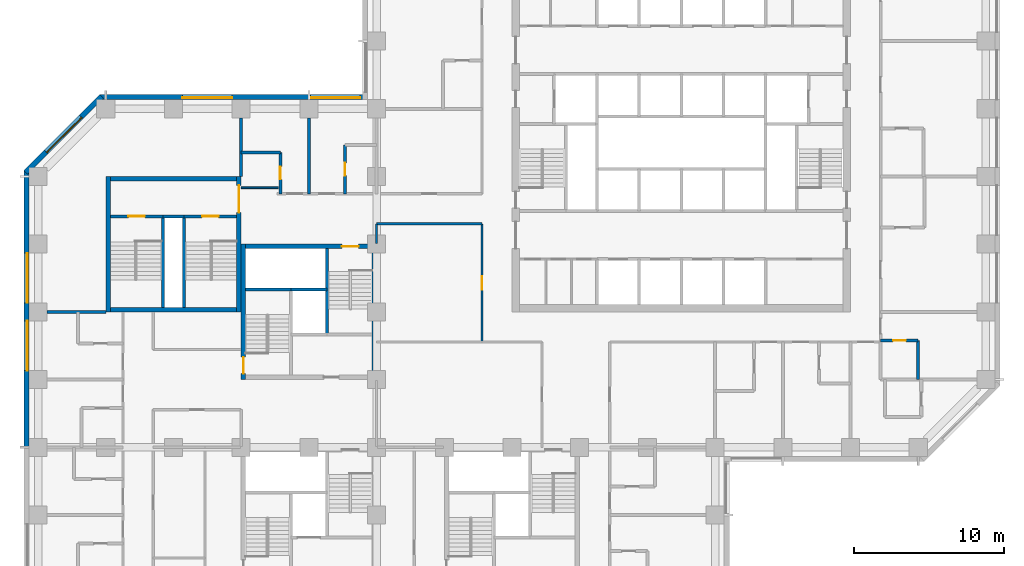
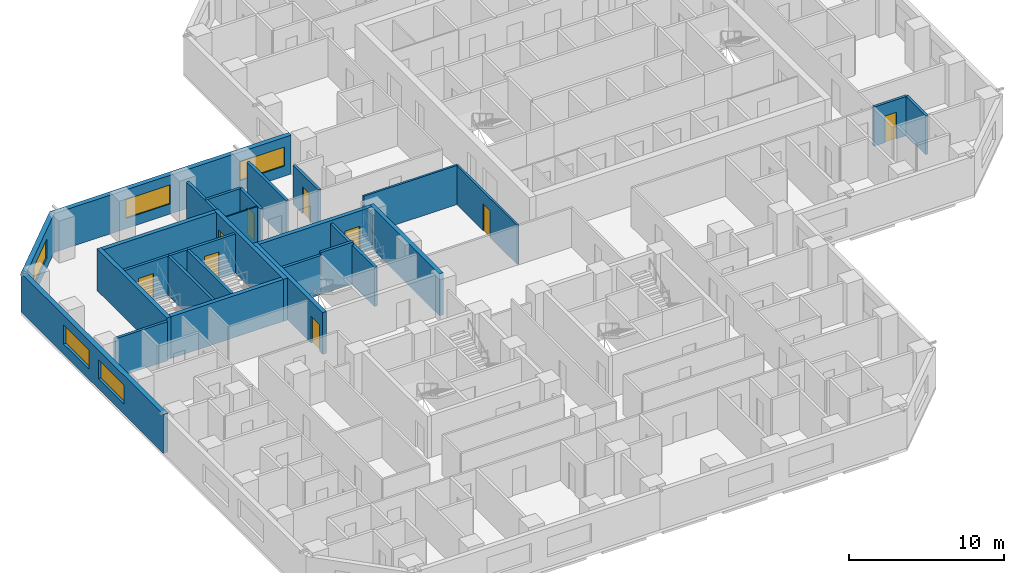
# One storey, part 7 of 13: 30 walls, 9 doors, 5 windows, 14 openings.
"""IFC4 building model written with IfcOpenShell, lengths in metres."""

from ifc_helpers import new_model, si_unit, direction, frame, frame_2d, origin, place, context, subcontext, project, spatial, rectangle, extrude, material, layer, layer_set, constituent, constituent_set, type_object, element, fill, save


model = new_model("IFC4")

# Units and contexts
model_context = context("Model", 3, precision=1e-05, world=origin(), true_north=direction((0.0, 1.0)))
body_context = subcontext(model_context, "Body", "Model", "MODEL_VIEW")
ifc_project = project(units=[si_unit("LENGTHUNIT", "METRE"), si_unit("AREAUNIT", "SQUARE_METRE"), si_unit("VOLUMEUNIT", "CUBIC_METRE"), si_unit("PLANEANGLEUNIT", "RADIAN"), si_unit("MASSUNIT", "GRAM", prefix="KILO")], contexts=[model_context])

# Site, building, storey
site_placement = place(None, origin())
site = spatial("IfcSite", under=ifc_project, at=site_placement, CompositionType="ELEMENT")
building_placement = place(site_placement, origin())
building = spatial("IfcBuilding", under=site, at=building_placement, Name="Quoin Convention Tower", CompositionType="ELEMENT")
storey_placement = place(building_placement, frame((0.0, 0.0, 36.300048828125)))
storey = spatial("IfcBuildingStorey", under=building, at=storey_placement, Name="L08", CompositionType="ELEMENT", Elevation=36.300048828125)

# Wall, openings, windows
ifc_material_1 = material(Name="Brick masonry", Category="masonry")
ifc_layer_1 = layer(ifc_material_1, 0.35009765625)
ifc_layer_set_1 = layer_set([ifc_layer_1], Name="Brick masonry")
wall_type_1 = type_object("IfcWallType", Name="Brick facade wall", PredefinedType="STANDARD", material=ifc_layer_set_1)
wall_1_placement = place(storey_placement, frame((35.39990234375, 63.77490234375, 0.0), z_axis=(0.0, 0.0, 1.0), x_axis=(-1.0, 0.0, 0.0)))
wall_1 = element("IfcWall", 1, at=wall_1_placement, inside=storey, type_object=wall_type_1, Name="fw-L08-36000_63000", PredefinedType="STANDARD", context=body_context, shape_type="SweptSolid", body=[
    extrude(rectangle(XDim=17.79345703125, YDim=0.35009765625, at=frame_2d((8.896728515625, 0.0))), origin(), (0.0, 0.0, 1.0), 3.054931640625),
])
opening_1_placement = place(wall_1_placement, frame((0.5, 0.0, 0.800048828125)))
opening_1 = element("IfcOpeningElement", 2, at=opening_1_placement, cuts=wall_1, Name="Opening W-01", PredefinedType="OPENING", context=body_context, shape_type="SweptSolid", body=[
    extrude(rectangle(XDim=3.300048828125, YDim=1.5, at=frame_2d((1.64990234375, 0.75))), frame((0.0, 0.18505859375, 0.0), z_axis=(0.0, -1.0, 0.0), x_axis=(1.0, 0.0, 0.0)), (0.0, 0.0, 1.0), 0.3701171875),
])
opening_2_placement = place(wall_1_placement, frame((9.0, 0.0, 0.800048828125)))
opening_2 = element("IfcOpeningElement", 3, at=opening_2_placement, cuts=wall_1, Name="Opening W-01", PredefinedType="OPENING", context=body_context, shape_type="SweptSolid", body=[
    extrude(rectangle(XDim=3.300048828125, YDim=1.5, at=frame_2d((1.64990234375, 0.75))), frame((0.0, 0.18505859375, 0.0), z_axis=(0.0, -1.0, 0.0), x_axis=(1.0, 0.0, 0.0)), (0.0, 0.0, 1.0), 0.3701171875),
])
ifc_material_2 = material(Name="Aluminium", Category="aluminium")
ifc_constituent_1 = constituent(ifc_material_2, Name="Frame")
ifc_material_3 = material(Name="Insulated glass", Category="glass")
ifc_constituent_2 = constituent(ifc_material_3, Name="Glazing")
ifc_constituent_set = constituent_set(constituents=[ifc_constituent_1, ifc_constituent_2], Name="Aluminium")
window_type = type_object("IfcWindowType", Name="Hotel strip window", PartitioningType="DOUBLE_PANEL_VERTICAL", PredefinedType="WINDOW", material=ifc_constituent_set)
window_1_placement = place(opening_1_placement, origin())
window_1 = element("IfcWindow", 4, at=window_1_placement, inside=storey, type_object=window_type, Name="win-L08-33750_63775", OverallHeight=1.5, OverallWidth=3.300048828125, PartitioningType="SINGLE_PANEL", PredefinedType="WINDOW", context=body_context, shape_type="SweptSolid", body=[
    extrude(rectangle(XDim=3.300048828125, YDim=1.5, at=frame_2d((1.64990234375, 0.75))), frame((0.0, 0.0849609375, 0.0), z_axis=(0.0, -1.0, 0.0), x_axis=(1.0, 0.0, 0.0)), (0.0, 0.0, 1.0), 0.06005859375),
])
fill(opening_1, window_1)
window_2_placement = place(opening_2_placement, origin())
window_2 = element("IfcWindow", 5, at=window_2_placement, inside=storey, type_object=window_type, Name="win-L08-24750_63775", OverallHeight=1.5, OverallWidth=3.300048828125, PartitioningType="SINGLE_PANEL", PredefinedType="WINDOW", context=body_context, shape_type="SweptSolid", body=[
    extrude(rectangle(XDim=3.300048828125, YDim=1.5, at=frame_2d((1.64990234375, 0.75))), frame((0.0, 0.0849609375, 0.0), z_axis=(0.0, -1.0, 0.0), x_axis=(1.0, 0.0, 0.0)), (0.0, 0.0, 1.0), 0.06005859375),
])
fill(opening_2, window_2)

# Wall, opening, window
wall_2_placement = place(storey_placement, frame((17.730224609375, 63.826416015625, 0.0), z_axis=(0.0, 0.0, 1.0), x_axis=(-0.707106781187, -0.707106781187, 0.0)))
wall_2 = element("IfcWall", 6, at=wall_2_placement, inside=storey, type_object=wall_type_1, Name="fw-L08-18000_63000", PredefinedType="STANDARD", context=body_context, shape_type="SweptSolid", body=[
    extrude(rectangle(XDim=7.151123046875, YDim=0.35009765625, at=frame_2d((3.57568359375, 0.0))), origin(), (0.0, 0.0, 1.0), 3.054931640625),
])
opening_3_placement = place(wall_2_placement, frame((1.925537109375, 0.0, 0.800048828125)))
opening_3 = element("IfcOpeningElement", 7, at=opening_3_placement, cuts=wall_2, Name="Opening W-01", PredefinedType="OPENING", context=body_context, shape_type="SweptSolid", body=[
    extrude(rectangle(XDim=3.300048828125, YDim=1.5, at=frame_2d((1.64990234375, 0.75))), frame((0.0, 0.18505859375, 0.0), z_axis=(0.0, -1.0, 0.0), x_axis=(1.0, 0.0, 0.0)), (0.0, 0.0, 1.0), 0.3701171875),
])
window_3_placement = place(opening_3_placement, origin())
window_3 = element("IfcWindow", 8, at=window_3_placement, inside=storey, type_object=window_type, Name="win-L08-15202_61298", OverallHeight=1.5, OverallWidth=3.300048828125, PartitioningType="SINGLE_PANEL", PredefinedType="WINDOW", context=body_context, shape_type="SweptSolid", body=[
    extrude(rectangle(XDim=3.300048828125, YDim=1.5, at=frame_2d((1.64990234375, 0.75))), frame((0.0, 0.0849609375, 0.0), z_axis=(0.0, -1.0, 0.0), x_axis=(1.0, 0.0, 0.0)), (0.0, 0.0, 1.0), 0.06005859375),
])
fill(opening_3, window_3)

# Wall, openings, windows
wall_3_placement = place(storey_placement, frame((12.72509765625, 58.8935546875, 0.0), z_axis=(0.0, 0.0, 1.0), x_axis=(0.0, -1.0, 0.0)))
wall_3 = element("IfcWall", 9, at=wall_3_placement, inside=storey, type_object=wall_type_1, Name="fw-L08-13500_58500", PredefinedType="STANDARD", context=body_context, shape_type="SweptSolid", body=[
    extrude(rectangle(XDim=18.3935546875, YDim=0.35009765625, at=frame_2d((9.19677734375, 0.0))), origin(), (0.0, 0.0, 1.0), 3.054931640625),
])
opening_4_placement = place(wall_3_placement, frame((5.493408203125, 0.0, 0.800048828125)))
opening_4 = element("IfcOpeningElement", 10, at=opening_4_placement, cuts=wall_3, Name="Opening W-01", PredefinedType="OPENING", context=body_context, shape_type="SweptSolid", body=[
    extrude(rectangle(XDim=3.300048828125, YDim=1.5, at=frame_2d((1.64990234375, 0.75))), frame((0.0, 0.18505859375, 0.0), z_axis=(0.0, -1.0, 0.0), x_axis=(1.0, 0.0, 0.0)), (0.0, 0.0, 1.0), 0.3701171875),
])
opening_5_placement = place(wall_3_placement, frame((9.993408203125, 0.0, 0.800048828125)))
opening_5 = element("IfcOpeningElement", 11, at=opening_5_placement, cuts=wall_3, Name="Opening W-01", PredefinedType="OPENING", context=body_context, shape_type="SweptSolid", body=[
    extrude(rectangle(XDim=3.300048828125, YDim=1.5, at=frame_2d((1.64990234375, 0.75))), frame((0.0, 0.18505859375, 0.0), z_axis=(0.0, -1.0, 0.0), x_axis=(1.0, 0.0, 0.0)), (0.0, 0.0, 1.0), 0.3701171875),
])
window_4_placement = place(opening_4_placement, origin())
window_4 = element("IfcWindow", 12, at=window_4_placement, inside=storey, type_object=window_type, Name="win-L08-12725_51750", OverallHeight=1.5, OverallWidth=3.300048828125, PartitioningType="SINGLE_PANEL", PredefinedType="WINDOW", context=body_context, shape_type="SweptSolid", body=[
    extrude(rectangle(XDim=3.300048828125, YDim=1.5, at=frame_2d((1.64990234375, 0.75))), frame((0.0, 0.0849609375, 0.0), z_axis=(0.0, -1.0, 0.0), x_axis=(1.0, 0.0, 0.0)), (0.0, 0.0, 1.0), 0.06005859375),
])
fill(opening_4, window_4)
window_5_placement = place(opening_5_placement, origin())
window_5 = element("IfcWindow", 13, at=window_5_placement, inside=storey, type_object=window_type, Name="win-L08-12725_47250", OverallHeight=1.5, OverallWidth=3.300048828125, PartitioningType="SINGLE_PANEL", PredefinedType="WINDOW", context=body_context, shape_type="SweptSolid", body=[
    extrude(rectangle(XDim=3.300048828125, YDim=1.5, at=frame_2d((1.64990234375, 0.75))), frame((0.0, 0.0849609375, 0.0), z_axis=(0.0, -1.0, 0.0), x_axis=(1.0, 0.0, 0.0)), (0.0, 0.0, 1.0), 0.06005859375),
])
fill(opening_5, window_5)

# Walls
ifc_material_4 = material(Name="Concrete C50", Category="concrete")
ifc_layer_2 = layer(ifc_material_4, 0.199951171875)
ifc_layer_set_2 = layer_set([ifc_layer_2], Name="Concrete C50")
wall_type_2 = type_object("IfcWallType", Name="Core shaft wall", PredefinedType="SOLIDWALL", material=ifc_layer_set_2)
wall_4_placement = place(storey_placement, frame((27.300048828125, 51.0, 0.0), z_axis=(0.0, 0.0, 1.0), x_axis=(1.0, 0.0, 0.0)))
element("IfcWall", 14, at=wall_4_placement, inside=storey, type_object=wall_type_2, Name="cr-P2-L08-h6000_300", PredefinedType="SOLIDWALL", context=body_context, shape_type="SweptSolid", body=[
    extrude(rectangle(XDim=3.0, YDim=0.199951171875, at=frame_2d((1.5, 0.0))), origin(), (0.0, 0.0, 1.0), 3.079833984375),
])
wall_5_placement = place(storey_placement, frame((32.699951171875, 48.0, 0.0), z_axis=(0.0, 0.0, 1.0), x_axis=(0.0, 1.0, 0.0)))
element("IfcWall", 15, at=wall_5_placement, inside=storey, type_object=wall_type_2, Name="cr-P2-L08-v5700_3000", PredefinedType="SOLIDWALL", context=body_context, shape_type="SweptSolid", body=[
    extrude(rectangle(XDim=5.699951171875, YDim=0.199951171875, at=frame_2d((2.85009765625, 0.0))), origin(), (0.0, 0.0, 1.0), 3.079833984375),
])
wall_6_placement = place(storey_placement, frame((21.800048828125, 55.85009765625, 0.0), z_axis=(0.0, 0.0, 1.0), x_axis=(1.0, 0.0, 0.0)))
element("IfcWall", 16, at=wall_6_placement, inside=storey, type_object=wall_type_2, Name="cr-P6-L08-h6350_3800", PredefinedType="SOLIDWALL", context=body_context, shape_type="SweptSolid", body=[
    extrude(rectangle(XDim=1.39990234375, YDim=0.199951171875, at=frame_2d((0.699951171875, 0.0))), origin(), (0.0, 0.0, 1.0), 3.079833984375),
])

# Wall, opening, door
wall_7_placement = place(storey_placement, frame((18.300048828125, 55.85009765625, 0.0), z_axis=(0.0, 0.0, 1.0), x_axis=(1.0, 0.0, 0.0)))
wall_7 = element("IfcWall", 17, at=wall_7_placement, inside=storey, type_object=wall_type_2, Name="cr-P6-L08-h6350_300", PredefinedType="SOLIDWALL", context=body_context, shape_type="SweptSolid", body=[
    extrude(rectangle(XDim=3.5, YDim=0.199951171875, at=frame_2d((1.75, 0.0))), origin(), (0.0, 0.0, 1.0), 3.079833984375),
])
opening_6_placement = place(wall_7_placement, frame((1.199951171875, 0.0, 0.0)))
opening_6 = element("IfcOpeningElement", 18, at=opening_6_placement, cuts=wall_7, Name="Opening SD11", PredefinedType="OPENING", context=body_context, shape_type="SweptSolid", body=[
    extrude(rectangle(XDim=1.10009765625, YDim=2.10009765625, at=frame_2d((0.550048828125, 1.050048828125))), frame((0.0, 0.10986328125, 0.0), z_axis=(0.0, -1.0, 0.0), x_axis=(1.0, 0.0, 0.0)), (0.0, 0.0, 1.0), 0.219970703125),
])
ifc_material_5 = material(Name="Steel door leaf", Category="steel")
door_type_1 = type_object("IfcDoorType", Name="Stair door 1100 x 2100", OperationType="SINGLE_SWING_RIGHT", PredefinedType="DOOR", material=ifc_material_5)
door_1_placement = place(opening_6_placement, origin())
door_1 = element("IfcDoor", 19, at=door_1_placement, inside=storey, type_object=door_type_1, Name="cd-P6-L08-SA-R2-SD11", OperationType="SINGLE_SWING_RIGHT", OverallHeight=2.10009765625, OverallWidth=1.10009765625, PredefinedType="DOOR", context=body_context, shape_type="SweptSolid", body=[
    extrude(rectangle(XDim=1.10009765625, YDim=2.10009765625, at=frame_2d((0.550048828125, 1.050048828125))), frame((0.0, 0.02490234375, 0.0), z_axis=(0.0, -1.0, 0.0), x_axis=(1.0, 0.0, 0.0)), (0.0, 0.0, 1.0), 0.050048828125),
])
fill(opening_6, door_1)

wall_8_placement = place(storey_placement, frame((23.199951171875, 55.85009765625, 0.0), z_axis=(0.0, 0.0, 1.0), x_axis=(1.0, 0.0, 0.0)))
wall_8 = element("IfcWall", 20, at=wall_8_placement, inside=storey, type_object=wall_type_2, Name="cr-P6-L08-h6350_5200", PredefinedType="SOLIDWALL", context=body_context, shape_type="SweptSolid", body=[
    extrude(rectangle(XDim=3.5, YDim=0.199951171875, at=frame_2d((1.75, 0.0))), origin(), (0.0, 0.0, 1.0), 3.079833984375),
])
opening_7_placement = place(wall_8_placement, frame((1.199951171875, 0.0, 0.0)))
opening_7 = element("IfcOpeningElement", 21, at=opening_7_placement, cuts=wall_8, Name="Opening SD12", PredefinedType="OPENING", context=body_context, shape_type="SweptSolid", body=[
    extrude(rectangle(XDim=1.10009765625, YDim=2.10009765625, at=frame_2d((0.550048828125, 1.050048828125))), frame((0.0, 0.10986328125, 0.0), z_axis=(0.0, -1.0, 0.0), x_axis=(1.0, 0.0, 0.0)), (0.0, 0.0, 1.0), 0.219970703125),
])
door_2_placement = place(opening_7_placement, origin())
door_2 = element("IfcDoor", 22, at=door_2_placement, inside=storey, type_object=door_type_1, Name="cd-P6-L08-SB-R2-SD12", OperationType="SINGLE_SWING_RIGHT", OverallHeight=2.10009765625, OverallWidth=1.10009765625, PredefinedType="DOOR", context=body_context, shape_type="SweptSolid", body=[
    extrude(rectangle(XDim=1.10009765625, YDim=2.10009765625, at=frame_2d((0.550048828125, 1.050048828125))), frame((0.0, 0.02490234375, 0.0), z_axis=(0.0, -1.0, 0.0), x_axis=(1.0, 0.0, 0.0)), (0.0, 0.0, 1.0), 0.050048828125),
])
fill(opening_7, door_2)

# Walls
for number, where, z_axis, x_axis, name in (
    (23, (21.800048828125, 49.800048828125, 0.0), (0.0, 0.0, 1.0), (0.0, 1.0, 0.0), "cr-P6-L08-v3800_300"),
    (24, (23.199951171875, 49.800048828125, 0.0), (0.0, 0.0, 1.0), (0.0, 1.0, 0.0), "cr-P6-L08-v5200_300"),
):
    element("IfcWall", number, at=place(storey_placement, frame(where, z_axis=z_axis, x_axis=x_axis)), inside=storey, type_object=wall_type_2, Name=name, PredefinedType="SOLIDWALL", context=body_context, shape_type="SweptSolid", body=[
        extrude(rectangle(XDim=6.050048828125, YDim=0.199951171875, at=frame_2d((3.02490234375, 0.0))), origin(), (0.0, 0.0, 1.0), 3.079833984375),
    ])
ifc_layer_3 = layer(ifc_material_4, 0.199951171875)
ifc_layer_set_3 = layer_set([ifc_layer_3], Name="Concrete C50")
wall_type_3 = type_object("IfcWallType", Name="Core shaft wall to the floor level over", PredefinedType="SOLIDWALL", material=ifc_layer_set_3)
wall_9_placement = place(storey_placement, frame((30.300048828125, 51.0, 0.0), z_axis=(0.0, 0.0, 1.0), x_axis=(1.0, 0.0, 0.0)))
element("IfcWall", 25, at=wall_9_placement, inside=storey, type_object=wall_type_3, Name="cr-P2-L08-h6000_3300", PredefinedType="SOLIDWALL", context=body_context, shape_type="SweptSolid", body=[
    extrude(rectangle(XDim=2.39990234375, YDim=0.199951171875, at=frame_2d((1.199951171875, 0.0))), origin(), (0.0, 0.0, 1.0), 3.300048828125),
])

# Wall, opening, door
ifc_material_6 = material(Name="Concrete C80", Category="concrete")
ifc_layer_4 = layer(ifc_material_6, 0.300048828125)
ifc_layer_set_4 = layer_set([ifc_layer_4], Name="Concrete C80")
wall_type_4 = type_object("IfcWallType", Name="RC CORE WALL 300 C80", PredefinedType="SHEAR", material=ifc_layer_set_4)
wall_10_placement = place(storey_placement, frame((27.300048828125, 53.85009765625, 0.0), z_axis=(0.0, 0.0, 1.0), x_axis=(1.0, 0.0, 0.0)))
wall_10 = element("IfcWall", 26, at=wall_10_placement, inside=storey, type_object=wall_type_4, Name="cwl-P2-L08-N", PredefinedType="SHEAR", context=body_context, shape_type="SweptSolid", body=[
    extrude(rectangle(XDim=8.39990234375, YDim=0.300048828125, at=frame_2d((4.199951171875, 0.0))), origin(), (0.0, 0.0, 1.0), 3.300048828125),
])
opening_8_placement = place(wall_10_placement, frame((6.39990234375, 0.0, 0.0)))
opening_8 = element("IfcOpeningElement", 27, at=opening_8_placement, cuts=wall_10, Name="Opening SD4", PredefinedType="OPENING", context=body_context, shape_type="SweptSolid", body=[
    extrude(rectangle(XDim=1.10009765625, YDim=2.10009765625, at=frame_2d((0.550048828125, 1.050048828125))), frame((0.0, 0.159912109375, 0.0), z_axis=(0.0, -1.0, 0.0), x_axis=(1.0, 0.0, 0.0)), (0.0, 0.0, 1.0), 0.320068359375),
])
door_3_placement = place(opening_8_placement, frame((1.10009765625, 0.0, 0.0), z_axis=(0.0, 0.0, 1.0), x_axis=(-1.0, 0.0, 0.0)))
door_3 = element("IfcDoor", 28, at=door_3_placement, inside=storey, type_object=door_type_1, Name="cd-P2-L08-SB-N", OperationType="SINGLE_SWING_LEFT", OverallHeight=2.10009765625, OverallWidth=1.10009765625, PredefinedType="DOOR", context=body_context, shape_type="SweptSolid", body=[
    extrude(rectangle(XDim=1.10009765625, YDim=2.10009765625, at=frame_2d((0.550048828125, 1.050048828125))), frame((0.0, 0.02490234375, 0.0), z_axis=(0.0, -1.0, 0.0), x_axis=(1.0, 0.0, 0.0)), (0.0, 0.0, 1.0), 0.050048828125),
])
fill(opening_8, door_3)

wall_11_placement = place(storey_placement, frame((27.14990234375, 45.0, 0.0), z_axis=(0.0, 0.0, 1.0), x_axis=(0.0, 1.0, 0.0)))
wall_11 = element("IfcWall", 29, at=wall_11_placement, inside=storey, type_object=wall_type_4, Name="cwl-P2-L08-W", PredefinedType="SHEAR", context=body_context, shape_type="SweptSolid", body=[
    extrude(rectangle(XDim=9.0, YDim=0.300048828125, at=frame_2d((4.5, 0.0))), origin(), (0.0, 0.0, 1.0), 3.300048828125),
])
opening_9_placement = place(wall_11_placement, frame((0.39990234375, 0.0, 0.0)))
opening_9 = element("IfcOpeningElement", 30, at=opening_9_placement, cuts=wall_11, Name="Opening SD3", PredefinedType="OPENING", context=body_context, shape_type="SweptSolid", body=[
    extrude(rectangle(XDim=1.10009765625, YDim=2.10009765625, at=frame_2d((0.550048828125, 1.050048828125))), frame((0.0, 0.159912109375, 0.0), z_axis=(0.0, -1.0, 0.0), x_axis=(1.0, 0.0, 0.0)), (0.0, 0.0, 1.0), 0.320068359375),
])
door_4_placement = place(opening_9_placement, frame((1.10009765625, 0.0, 0.0), z_axis=(0.0, 0.0, 1.0), x_axis=(-1.0, 0.0, 0.0)))
door_4 = element("IfcDoor", 31, at=door_4_placement, inside=storey, type_object=door_type_1, Name="cd-P2-L08-SA-W", OperationType="SINGLE_SWING_RIGHT", OverallHeight=2.10009765625, OverallWidth=1.10009765625, PredefinedType="DOOR", context=body_context, shape_type="SweptSolid", body=[
    extrude(rectangle(XDim=1.10009765625, YDim=2.10009765625, at=frame_2d((0.550048828125, 1.050048828125))), frame((0.0, 0.02490234375, 0.0), z_axis=(0.0, -1.0, 0.0), x_axis=(1.0, 0.0, 0.0)), (0.0, 0.0, 1.0), 0.050048828125),
])
fill(opening_9, door_4)

# Walls
wall_12_placement = place(storey_placement, frame((35.85009765625, 45.0, 0.0), z_axis=(0.0, 0.0, 1.0), x_axis=(0.0, 1.0, 0.0)))
element("IfcWall", 32, at=wall_12_placement, inside=storey, type_object=wall_type_4, Name="cwl-P2-L08-E", PredefinedType="SHEAR", context=body_context, shape_type="SweptSolid", body=[
    extrude(rectangle(XDim=9.0, YDim=0.300048828125, at=frame_2d((4.5, 0.0))), origin(), (0.0, 0.0, 1.0), 3.300048828125),
])
for number, where, z_axis, x_axis, name in (
    (33, (18.300048828125, 49.64990234375, 0.0), (0.0, 0.0, 1.0), (1.0, 0.0, 0.0), "cwl-P6-L08-S"),
    (34, (18.300048828125, 58.35009765625, 0.0), (0.0, 0.0, 1.0), (1.0, 0.0, 0.0), "cwl-P6-L08-N"),
):
    element("IfcWall", number, at=place(storey_placement, frame(where, z_axis=z_axis, x_axis=x_axis)), inside=storey, type_object=wall_type_4, Name=name, PredefinedType="SHEAR", context=body_context, shape_type="SweptSolid", body=[
        extrude(rectangle(XDim=8.39990234375, YDim=0.300048828125, at=frame_2d((4.199951171875, 0.0))), origin(), (0.0, 0.0, 1.0), 3.300048828125),
    ])
wall_13_placement = place(storey_placement, frame((18.14990234375, 49.5, 0.0), z_axis=(0.0, 0.0, 1.0), x_axis=(0.0, 1.0, 0.0)))
element("IfcWall", 35, at=wall_13_placement, inside=storey, type_object=wall_type_4, Name="cwl-P6-L08-W", PredefinedType="SHEAR", context=body_context, shape_type="SweptSolid", body=[
    extrude(rectangle(XDim=9.0, YDim=0.300048828125, at=frame_2d((4.5, 0.0))), origin(), (0.0, 0.0, 1.0), 3.300048828125),
])

# Wall, opening, door
wall_14_placement = place(storey_placement, frame((26.85009765625, 49.5, 0.0), z_axis=(0.0, 0.0, 1.0), x_axis=(0.0, 1.0, 0.0)))
wall_14 = element("IfcWall", 36, at=wall_14_placement, inside=storey, type_object=wall_type_4, Name="cwl-P6-L08-E", PredefinedType="SHEAR", context=body_context, shape_type="SweptSolid", body=[
    extrude(rectangle(XDim=9.0, YDim=0.300048828125, at=frame_2d((4.5, 0.0))), origin(), (0.0, 0.0, 1.0), 3.300048828125),
])
opening_10_placement = place(wall_14_placement, frame((6.60009765625, 0.0, 0.0)))
opening_10 = element("IfcOpeningElement", 37, at=opening_10_placement, cuts=wall_14, Name="Opening DCV3-44", PredefinedType="OPENING", context=body_context, shape_type="SweptSolid", body=[
    extrude(rectangle(XDim=1.800048828125, YDim=2.10009765625, at=frame_2d((0.89990234375, 1.050048828125))), frame((0.0, 0.159912109375, 0.0), z_axis=(0.0, -1.0, 0.0), x_axis=(1.0, 0.0, 0.0)), (0.0, 0.0, 1.0), 0.320068359375),
])
door_type_2 = type_object("IfcDoorType", Name="Goods lobby door 1800 x 2100", OperationType="SINGLE_SWING_LEFT", PredefinedType="DOOR", material=ifc_material_5)
door_5_placement = place(opening_10_placement, origin())
door_5 = element("IfcDoor", 38, at=door_5_placement, inside=storey, type_object=door_type_2, Name="cd-P6-L08-R2-E", OperationType="SINGLE_SWING_LEFT", OverallHeight=2.10009765625, OverallWidth=1.800048828125, PredefinedType="DOOR", context=body_context, shape_type="SweptSolid", body=[
    extrude(rectangle(XDim=1.800048828125, YDim=2.10009765625, at=frame_2d((0.89990234375, 1.050048828125))), frame((0.0, 0.02490234375, 0.0), z_axis=(0.0, -1.0, 0.0), x_axis=(1.0, 0.0, 0.0)), (0.0, 0.0, 1.0), 0.050048828125),
])
fill(opening_10, door_5)

# Wall
ifc_layer_5 = layer(ifc_material_4, 0.199951171875)
ifc_layer_set_5 = layer_set([ifc_layer_5], Name="Concrete C50")
wall_type_5 = type_object("IfcWallType", Name="RC party wall", PredefinedType="SOLIDWALL", material=ifc_layer_set_5)
wall_15_placement = place(storey_placement, frame((72.0, 45.0, 0.0), z_axis=(0.0, 0.0, 1.0), x_axis=(0.0, 1.0, 0.0)))
element("IfcWall", 39, at=wall_15_placement, inside=storey, type_object=wall_type_5, Name="pw-L08-099", PredefinedType="SOLIDWALL", context=body_context, shape_type="SweptSolid", body=[
    extrude(rectangle(XDim=2.60009765625, YDim=0.199951171875, at=frame_2d((1.300048828125, 0.0))), origin(), (0.0, 0.0, 1.0), 3.079833984375),
])

# Wall, opening, door
wall_16_placement = place(storey_placement, frame((69.5, 47.60009765625, 0.0), z_axis=(0.0, 0.0, 1.0), x_axis=(1.0, 0.0, 0.0)))
wall_16 = element("IfcWall", 40, at=wall_16_placement, inside=storey, type_object=wall_type_5, Name="pw-L08-102", PredefinedType="SOLIDWALL", context=body_context, shape_type="SweptSolid", body=[
    extrude(rectangle(XDim=2.5, YDim=0.199951171875, at=frame_2d((1.25, 0.0))), origin(), (0.0, 0.0, 1.0), 3.079833984375),
])
opening_11_placement = place(wall_16_placement, frame((0.824951171875, 0.0, 0.0)))
opening_11 = element("IfcOpeningElement", 41, at=opening_11_placement, cuts=wall_16, Name="Opening DHOTEL-D-61", PredefinedType="OPENING", context=body_context, shape_type="SweptSolid", body=[
    extrude(rectangle(XDim=0.85009765625, YDim=2.10009765625, at=frame_2d((0.425048828125, 1.050048828125))), frame((0.0, 0.10986328125, 0.0), z_axis=(0.0, -1.0, 0.0), x_axis=(1.0, 0.0, 0.0)), (0.0, 0.0, 1.0), 0.219970703125),
])
door_type_3 = type_object("IfcDoorType", Name="Bathroom door", OperationType="SINGLE_SWING_LEFT", PredefinedType="DOOR", material=ifc_material_5)
door_6_placement = place(opening_11_placement, frame((0.85009765625, 0.0, 0.0), z_axis=(0.0, 0.0, 1.0), x_axis=(-1.0, 0.0, 0.0)))
door_6 = element("IfcDoor", 42, at=door_6_placement, inside=storey, type_object=door_type_3, Name="dr-L08-054", OperationType="SINGLE_SWING_RIGHT", OverallHeight=2.10009765625, OverallWidth=0.85009765625, PredefinedType="DOOR", context=body_context, shape_type="SweptSolid", body=[
    extrude(rectangle(XDim=0.85009765625, YDim=2.10009765625, at=frame_2d((0.425048828125, 1.050048828125))), frame((0.0, 0.02490234375, 0.0), z_axis=(0.0, -1.0, 0.0), x_axis=(1.0, 0.0, 0.0)), (0.0, 0.0, 1.0), 0.050048828125),
])
fill(opening_11, door_6)

# Walls
for number, where, z_axis, x_axis, name in (
    (43, (14.10009765625, 49.5, 0.0), (0.0, 0.0, 1.0), (1.0, 0.0, 0.0), "pw-L08-103"),
    (44, (27.0, 58.5, 0.0), (0.0, 0.0, 1.0), (0.0, 1.0, 0.0), "pw-L08-112"),
):
    element("IfcWall", number, at=place(storey_placement, frame(where, z_axis=z_axis, x_axis=x_axis)), inside=storey, type_object=wall_type_5, Name=name, PredefinedType="SOLIDWALL", context=body_context, shape_type="SweptSolid", body=[
        extrude(rectangle(XDim=3.89990234375, YDim=0.199951171875, at=frame_2d((1.949951171875, 0.0))), origin(), (0.0, 0.0, 1.0), 3.079833984375),
    ])

# Wall, opening, door
wall_17_placement = place(storey_placement, frame((29.60009765625, 57.35009765625, 0.0), z_axis=(0.0, 0.0, 1.0), x_axis=(0.0, 1.0, 0.0)))
wall_17 = element("IfcWall", 45, at=wall_17_placement, inside=storey, type_object=wall_type_5, Name="pw-L08-113", PredefinedType="SOLIDWALL", context=body_context, shape_type="SweptSolid", body=[
    extrude(rectangle(XDim=2.75, YDim=0.199951171875, at=frame_2d((1.375, 0.0))), origin(), (0.0, 0.0, 1.0), 3.079833984375),
])
opening_12_placement = place(wall_17_placement, frame((0.949951171875, 0.0, 0.0)))
opening_12 = element("IfcOpeningElement", 46, at=opening_12_placement, cuts=wall_17, Name="Opening DHOTEL-D-63", PredefinedType="OPENING", context=body_context, shape_type="SweptSolid", body=[
    extrude(rectangle(XDim=0.85009765625, YDim=2.10009765625, at=frame_2d((0.425048828125, 1.050048828125))), frame((0.0, 0.10986328125, 0.0), z_axis=(0.0, -1.0, 0.0), x_axis=(1.0, 0.0, 0.0)), (0.0, 0.0, 1.0), 0.219970703125),
])
door_7_placement = place(opening_12_placement, frame((0.85009765625, 0.0, 0.0), z_axis=(0.0, 0.0, 1.0), x_axis=(-1.0, 0.0, 0.0)))
door_7 = element("IfcDoor", 47, at=door_7_placement, inside=storey, type_object=door_type_3, Name="dr-L08-034", OperationType="SINGLE_SWING_RIGHT", OverallHeight=2.10009765625, OverallWidth=0.85009765625, PredefinedType="DOOR", context=body_context, shape_type="SweptSolid", body=[
    extrude(rectangle(XDim=0.85009765625, YDim=2.10009765625, at=frame_2d((0.425048828125, 1.050048828125))), frame((0.0, 0.02490234375, 0.0), z_axis=(0.0, -1.0, 0.0), x_axis=(1.0, 0.0, 0.0)), (0.0, 0.0, 1.0), 0.050048828125),
])
fill(opening_12, door_7)

# Wall
wall_18_placement = place(storey_placement, frame((31.5, 57.35009765625, 0.0), z_axis=(0.0, 0.0, 1.0), x_axis=(0.0, 1.0, 0.0)))
element("IfcWall", 48, at=wall_18_placement, inside=storey, type_object=wall_type_5, Name="pw-L08-114", PredefinedType="SOLIDWALL", context=body_context, shape_type="SweptSolid", body=[
    extrude(rectangle(XDim=5.0498046875, YDim=0.199951171875, at=frame_2d((2.52490234375, 0.0))), origin(), (0.0, 0.0, 1.0), 3.079833984375),
])

# Wall, opening, door
wall_19_placement = place(storey_placement, frame((33.89990234375, 57.35009765625, 0.0), z_axis=(0.0, 0.0, 1.0), x_axis=(0.0, 1.0, 0.0)))
wall_19 = element("IfcWall", 49, at=wall_19_placement, inside=storey, type_object=wall_type_5, Name="pw-L08-115", PredefinedType="SOLIDWALL", context=body_context, shape_type="SweptSolid", body=[
    extrude(rectangle(XDim=3.25, YDim=0.199951171875, at=frame_2d((1.625, 0.0))), origin(), (0.0, 0.0, 1.0), 3.079833984375),
])
opening_13_placement = place(wall_19_placement, frame((1.199951171875, 0.0, 0.0)))
opening_13 = element("IfcOpeningElement", 50, at=opening_13_placement, cuts=wall_19, Name="Opening DHOTEL-D-64", PredefinedType="OPENING", context=body_context, shape_type="SweptSolid", body=[
    extrude(rectangle(XDim=0.85009765625, YDim=2.10009765625, at=frame_2d((0.425048828125, 1.050048828125))), frame((0.0, 0.10986328125, 0.0), z_axis=(0.0, -1.0, 0.0), x_axis=(1.0, 0.0, 0.0)), (0.0, 0.0, 1.0), 0.219970703125),
])
door_8_placement = place(opening_13_placement, origin())
door_8 = element("IfcDoor", 51, at=door_8_placement, inside=storey, type_object=door_type_3, Name="dr-L08-032", OperationType="SINGLE_SWING_LEFT", OverallHeight=2.10009765625, OverallWidth=0.85009765625, PredefinedType="DOOR", context=body_context, shape_type="SweptSolid", body=[
    extrude(rectangle(XDim=0.85009765625, YDim=2.10009765625, at=frame_2d((0.425048828125, 1.050048828125))), frame((0.0, 0.02490234375, 0.0), z_axis=(0.0, -1.0, 0.0), x_axis=(1.0, 0.0, 0.0)), (0.0, 0.0, 1.0), 0.050048828125),
])
fill(opening_13, door_8)

# Walls
wall_20_placement = place(storey_placement, frame((27.0, 60.10009765625, 0.0), z_axis=(0.0, 0.0, 1.0), x_axis=(1.0, 0.0, 0.0)))
element("IfcWall", 52, at=wall_20_placement, inside=storey, type_object=wall_type_5, Name="pw-L08-121", PredefinedType="SOLIDWALL", context=body_context, shape_type="SweptSolid", body=[
    extrude(rectangle(XDim=2.60009765625, YDim=0.199951171875, at=frame_2d((1.300048828125, 0.0))), origin(), (0.0, 0.0, 1.0), 3.079833984375),
])
ifc_material_7 = material(Name="Plasterboard")
ifc_layer_6 = layer(ifc_material_7, 0.012451171875, Name="Finish")
ifc_material_8 = material(Name="Steel stud framing", Category="steel")
ifc_layer_7 = layer(ifc_material_8, 0.074951171875, Name="Structure")
ifc_layer_8 = layer(ifc_material_7, 0.012451171875, Name="Finish")
ifc_layer_set_6 = layer_set([ifc_layer_6, ifc_layer_7, ifc_layer_8], Name="Steel stud framing")
wall_type_6 = type_object("IfcWallType", Name="bathroom partition", PredefinedType="PARTITIONING", material=ifc_layer_set_6)
wall_21_placement = place(storey_placement, frame((27.0, 57.75, 0.0), z_axis=(0.0, 0.0, 1.0), x_axis=(1.0, 0.0, 0.0)))
element("IfcWall", 53, at=wall_21_placement, inside=storey, type_object=wall_type_6, Name="pw-L08-w01", PredefinedType="PARTITIONING", context=body_context, shape_type="SweptSolid", body=[
    extrude(rectangle(XDim=2.47998046875, YDim=0.10009765625, at=frame_2d((1.239990234375, 0.0))), origin(), (0.0, 0.0, 1.0), 3.079833984375),
])

# Wall, opening, door
ifc_layer_9 = layer(ifc_material_7, 0.012451171875, Name="Finish")
ifc_layer_10 = layer(ifc_material_8, 0.125, Name="Structure")
ifc_layer_11 = layer(ifc_material_7, 0.012451171875, Name="Finish")
ifc_layer_set_7 = layer_set([ifc_layer_9, ifc_layer_10, ifc_layer_11], Name="Steel stud framing")
wall_type_7 = type_object("IfcWallType", Name="corridor partition", PredefinedType="PARTITIONING", material=ifc_layer_set_7)
wall_22_placement = place(storey_placement, frame((43.0, 47.5, 0.0), z_axis=(0.0, 0.0, 1.0), x_axis=(0.0, 1.0, 0.0)))
wall_22 = element("IfcWall", 54, at=wall_22_placement, inside=storey, type_object=wall_type_7, Name="pw-L08-029", PredefinedType="PARTITIONING", context=body_context, shape_type="SweptSolid", body=[
    extrude(rectangle(XDim=7.85009765625, YDim=0.14990234375, at=frame_2d((3.925048828125, 0.0))), origin(), (0.0, 0.0, 1.0), 3.079833984375),
])
opening_14_placement = place(wall_22_placement, frame((3.47509765625, 0.0, 0.0)))
opening_14 = element("IfcOpeningElement", 55, at=opening_14_placement, cuts=wall_22, Name="Opening DHOTEL-D-24", PredefinedType="OPENING", context=body_context, shape_type="SweptSolid", body=[
    extrude(rectangle(XDim=0.89990234375, YDim=2.10009765625, at=frame_2d((0.449951171875, 1.050048828125))), frame((0.0, 0.0849609375, 0.0), z_axis=(0.0, -1.0, 0.0), x_axis=(1.0, 0.0, 0.0)), (0.0, 0.0, 1.0), 0.169921875),
])
door_type_4 = type_object("IfcDoorType", Name="Toilet door", OperationType="SINGLE_SWING_LEFT", PredefinedType="DOOR", material=ifc_material_5)
door_9_placement = place(opening_14_placement, origin())
door_9 = element("IfcDoor", 56, at=door_9_placement, inside=storey, type_object=door_type_4, Name="dr-L08-077", OperationType="SINGLE_SWING_RIGHT", OverallHeight=2.10009765625, OverallWidth=0.89990234375, PredefinedType="DOOR", context=body_context, shape_type="SweptSolid", body=[
    extrude(rectangle(XDim=0.89990234375, YDim=2.10009765625, at=frame_2d((0.449951171875, 1.050048828125))), frame((0.0, 0.02490234375, 0.0), z_axis=(0.0, -1.0, 0.0), x_axis=(1.0, 0.0, 0.0)), (0.0, 0.0, 1.0), 0.050048828125),
])
fill(opening_14, door_9)

# Walls
wall_23_placement = place(storey_placement, frame((36.0, 55.35009765625, 0.0), z_axis=(0.0, 0.0, 1.0), x_axis=(1.0, 0.0, 0.0)))
element("IfcWall", 57, at=wall_23_placement, inside=storey, type_object=wall_type_7, Name="pw-L08-035", PredefinedType="PARTITIONING", context=body_context, shape_type="SweptSolid", body=[
    extrude(rectangle(XDim=7.0, YDim=0.14990234375, at=frame_2d((3.5, 0.0))), origin(), (0.0, 0.0, 1.0), 3.079833984375),
])
ifc_layer_12 = layer(ifc_material_7, 0.012451171875, Name="Finish")
ifc_layer_13 = layer(ifc_material_8, 0.125, Name="Structure")
ifc_layer_14 = layer(ifc_material_7, 0.012451171875, Name="Finish")
ifc_layer_set_8 = layer_set([ifc_layer_12, ifc_layer_13, ifc_layer_14], Name="Steel stud framing")
wall_type_8 = type_object("IfcWallType", Name="corridor partition under beam 750", PredefinedType="PARTITIONING", material=ifc_layer_set_8)
wall_24_placement = place(storey_placement, frame((36.0, 54.050048828125, 0.0), z_axis=(0.0, 0.0, 1.0), x_axis=(0.0, 1.0, 0.0)))
element("IfcWall", 58, at=wall_24_placement, inside=storey, type_object=wall_type_8, Name="pw-L08-033", PredefinedType="PARTITIONING", context=body_context, shape_type="SweptSolid", body=[
    extrude(rectangle(XDim=1.300048828125, YDim=0.14990234375, at=frame_2d((0.64990234375, 0.0))), origin(), (0.0, 0.0, 1.0), 2.329833984375),
])

save(model, "model.ifc")
